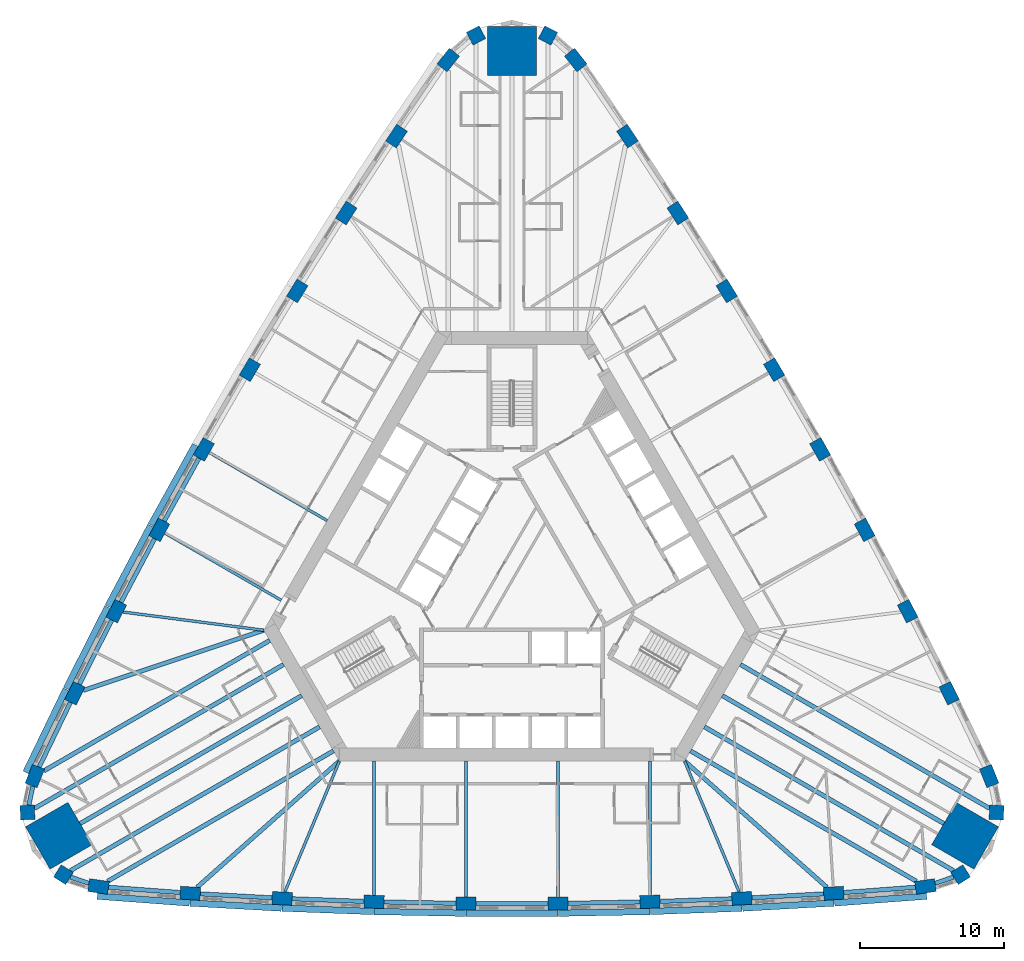
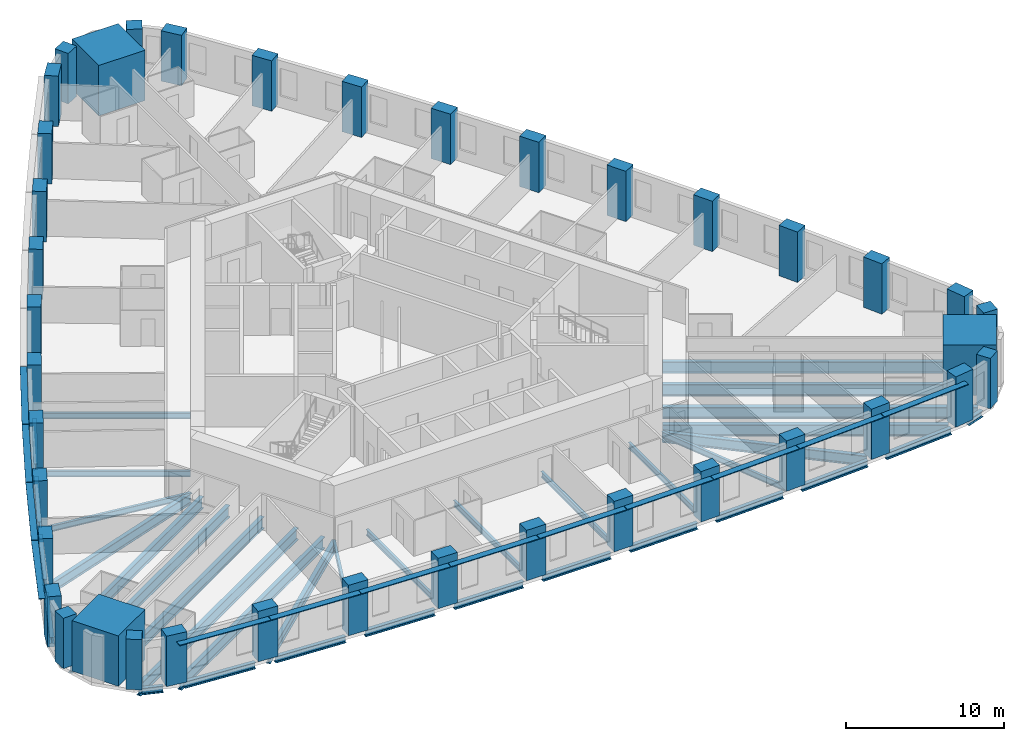
# One storey, part 1 of 12: 39 columns, 37 beams, 13 members.
"""IFC4 building model written with IfcOpenShell, lengths in metres."""

from ifc_helpers import new_model, si_unit, direction, frame, origin, origin_2d, place, context, subcontext, project, spatial, rectangle, i_section, extrude, material, material_profile, profile_set, type_object, element, save


model = new_model("IFC4")

# Units and contexts
model_context = context("Model", 3, precision=1e-05, world=origin(), true_north=direction((0.0, 1.0)))
body_context = subcontext(model_context, "Body", "Model", "MODEL_VIEW")
ifc_project = project(units=[si_unit("LENGTHUNIT", "METRE"), si_unit("AREAUNIT", "SQUARE_METRE"), si_unit("VOLUMEUNIT", "CUBIC_METRE"), si_unit("PLANEANGLEUNIT", "RADIAN"), si_unit("MASSUNIT", "GRAM", prefix="KILO")], contexts=[model_context])

# Site, building, storey
site_placement = place(None, origin())
site = spatial("IfcSite", under=ifc_project, at=site_placement, CompositionType="ELEMENT")
building_placement = place(site_placement, origin())
building = spatial("IfcBuilding", under=site, at=building_placement, Name="Mestral Congress Tower", CompositionType="ELEMENT")
storey_placement = place(building_placement, frame((0.0, 0.0, 66.60009765625)))
storey = spatial("IfcBuildingStorey", under=building, at=storey_placement, Name="L15", CompositionType="ELEMENT", Elevation=66.60009765625)

# Columns
ifc_material_1 = material(Name="Concrete C70/85", Category="concrete")
ifc_material_profile_1 = material_profile(ifc_material_1, rectangle(XDim=1.0, YDim=1.0, at=origin_2d()), Name="RC 1000x1000")
ifc_profile_set_1 = profile_set([ifc_material_profile_1], Name="Concrete C70/85")
column_type_1 = type_object("IfcColumnType", Name="Column RC 1000x1000 C70/85", PredefinedType="COLUMN", material=ifc_profile_set_1)
for number, where, z_axis, x_axis, name in (
    (1, (31.210205078125, -20.90966796875, 0.0), (0.0, 0.0, 1.0), (0.844485001826, 0.535579202071, 0.0), "COL-L15-C1-SE1"),
    (2, (33.71337890625, -16.573974609375, 0.0), (0.0, 0.0, 1.0), (0.041582693819, 0.999135065732, 0.0), "COL-L15-C1-SE3"),
    (3, (2.503173828125, 37.483642578125, 0.0), (0.0, 0.0, 1.0), (-0.886067695645, 0.463555863661, 0.0), "COL-L15-C1-N1"),
    (4, (-2.503173828125, 37.483642578125, 0.0), (0.0, 0.0, 1.0), (-0.886067695645, -0.463555863661, 0.0), "COL-L15-C1-N3"),
    (5, (-33.71337890625, -16.573974609375, 0.0), (0.0, 0.0, 1.0), (0.041582693819, -0.999135065732, 0.0), "COL-L15-C1-SW1"),
    (6, (-31.210205078125, -20.90966796875, 0.0), (0.0, 0.0, 1.0), (0.844485001826, -0.535579202071, 0.0), "COL-L15-C1-SW3"),
):
    element("IfcColumn", number, at=place(storey_placement, frame(where, z_axis=z_axis, x_axis=x_axis)), inside=storey, type_object=column_type_1, Name=name, PredefinedType="COLUMN", context=body_context, shape_type="SweptSolid", body=[
        extrude(rectangle(XDim=1.0, YDim=1.0, at=origin_2d()), origin(), (0.0, 0.0, 1.0), 3.89990234375),
    ])
ifc_material_profile_2 = material_profile(ifc_material_1, rectangle(XDim=1.39990234375, YDim=0.89990234375, at=origin_2d()), Name="RC 1400x900")
ifc_profile_set_2 = profile_set([ifc_material_profile_2], Name="Concrete C70/85")
column_type_2 = type_object("IfcColumnType", Name="Column RC 1400x900 C70/85", PredefinedType="COLUMN", material=ifc_profile_set_2)
for number, where, z_axis, x_axis, name in (
    (7, (-28.766845703125, -21.730712890625, 0.0), (0.0, 0.0, 1.0), (0.989423502484, -0.145055619443, 0.0), "COL-L15-C1-S00"),
    (8, (-22.384521484375, -22.20361328125, 0.0), (0.0, 0.0, 1.0), (0.997907501024, -0.064657709518, 0.0), "COL-L15-C1-S01"),
    (9, (-15.994384765625, -22.558349609375, 0.0), (0.0, 0.0, 1.0), (0.998932216029, -0.04619986774, 0.0), "COL-L15-C1-S02"),
    (10, (-9.598876953125, -22.794921875, 0.0), (0.0, 0.0, 1.0), (0.999615553977, -0.027726237529, 0.0), "COL-L15-C1-S03"),
    (11, (-3.199951171875, -22.9130859375, 0.0), (0.0, 0.0, 1.0), (0.999957281342, -0.009243132098, 0.0), "COL-L15-C1-S04"),
    (12, (3.199951171875, -22.9130859375, 0.0), (0.0, 0.0, 1.0), (0.999957281342, 0.009243132098, 0.0), "COL-L15-C1-S05"),
    (13, (9.598876953125, -22.794921875, 0.0), (0.0, 0.0, 1.0), (0.999615553977, 0.027726237529, 0.0), "COL-L15-C1-S06"),
    (14, (15.994384765625, -22.558349609375, 0.0), (0.0, 0.0, 1.0), (0.998932216029, 0.04619986774, 0.0), "COL-L15-C1-S07"),
    (15, (22.384521484375, -22.20361328125, 0.0), (0.0, 0.0, 1.0), (0.997907501024, 0.064657709518, 0.0), "COL-L15-C1-S08"),
    (16, (28.766845703125, -21.730712890625, 0.0), (0.0, 0.0, 1.0), (0.989423502484, 0.145055619443, 0.0), "COL-L15-C1-S09"),
    (17, (33.202880859375, -14.04736328125, 0.0), (0.0, 0.0, 1.0), (-0.369089899843, 0.929393697974, 0.0), "COL-L15-C1-E00"),
    (18, (30.421142578125, -8.28369140625, 0.0), (0.0, 0.0, 1.0), (-0.442958531519, 0.896542101273, 0.0), "COL-L15-C1-E01"),
    (19, (27.533203125, -2.572265625, 0.0), (0.0, 0.0, 1.0), (-0.4594558489, 0.88820060961, 0.0), "COL-L15-C1-E02"),
    (20, (24.540283203125, 3.084716796875, 0.0), (0.0, 0.0, 1.0), (-0.475796150937, 0.879555582526, 0.0), "COL-L15-C1-E03"),
    (21, (21.443359375, 8.685302734375, 0.0), (0.0, 0.0, 1.0), (-0.491973853463, 0.870609974391, 0.0), "COL-L15-C1-E04"),
    (22, (18.243408203125, 14.227783203125, 0.0), (0.0, 0.0, 1.0), (-0.507983427879, 0.861366842292, 0.0), "COL-L15-C1-E05"),
    (23, (14.941650390625, 19.710205078125, 0.0), (0.0, 0.0, 1.0), (-0.52381940304, 0.851829344998, 0.0), "COL-L15-C1-E06"),
    (24, (11.5390625, 25.130615234375, 0.0), (0.0, 0.0, 1.0), (-0.539476367129, 0.84200074187, 0.0), "COL-L15-C1-E07"),
    (25, (8.03662109375, 30.4873046875, 0.0), (0.0, 0.0, 1.0), (-0.554948969505, 0.831884391755, 0.0), "COL-L15-C1-E08"),
    (26, (4.43603515625, 35.7783203125, 0.0), (0.0, 0.0, 1.0), (-0.620333602641, 0.784338078531, 0.0), "COL-L15-C1-E09"),
    (27, (-4.43603515625, 35.7783203125, 0.0), (0.0, 0.0, 1.0), (-0.620333602641, -0.784338078531, 0.0), "COL-L15-C1-W00"),
    (28, (-8.03662109375, 30.4873046875, 0.0), (0.0, 0.0, 1.0), (-0.554948969505, -0.831884391755, 0.0), "COL-L15-C1-W01"),
    (29, (-11.5390625, 25.130615234375, 0.0), (0.0, 0.0, 1.0), (-0.539476367129, -0.84200074187, 0.0), "COL-L15-C1-W02"),
    (30, (-14.941650390625, 19.710205078125, 0.0), (0.0, 0.0, 1.0), (-0.52381940304, -0.851829344998, 0.0), "COL-L15-C1-W03"),
    (31, (-18.243408203125, 14.227783203125, 0.0), (0.0, 0.0, 1.0), (-0.507983427879, -0.861366842292, 0.0), "COL-L15-C1-W04"),
    (32, (-21.443359375, 8.685302734375, 0.0), (0.0, 0.0, 1.0), (-0.491973853463, -0.870609974391, 0.0), "COL-L15-C1-W05"),
    (33, (-24.540283203125, 3.084716796875, 0.0), (0.0, 0.0, 1.0), (-0.475796150937, -0.879555582526, 0.0), "COL-L15-C1-W06"),
    (34, (-27.533203125, -2.572265625, 0.0), (0.0, 0.0, 1.0), (-0.4594558489, -0.88820060961, 0.0), "COL-L15-C1-W07"),
    (35, (-30.421142578125, -8.28369140625, 0.0), (0.0, 0.0, 1.0), (-0.442958531519, -0.896542101273, 0.0), "COL-L15-C1-W08"),
    (36, (-33.202880859375, -14.04736328125, 0.0), (0.0, 0.0, 1.0), (-0.369089899843, -0.929393697974, 0.0), "COL-L15-C1-W09"),
):
    element("IfcColumn", number, at=place(storey_placement, frame(where, z_axis=z_axis, x_axis=x_axis)), inside=storey, type_object=column_type_2, Name=name, PredefinedType="COLUMN", context=body_context, shape_type="SweptSolid", body=[
        extrude(rectangle(XDim=1.39990234375, YDim=0.89990234375, at=origin_2d()), origin(), (0.0, 0.0, 1.0), 3.89990234375),
    ])
ifc_material_2 = material(Name="Concrete C80/95", Category="concrete")
ifc_material_profile_3 = material_profile(ifc_material_2, rectangle(XDim=3.39990234375, YDim=3.39990234375, at=origin_2d()), Name="RC 3400x3400")
ifc_profile_set_3 = profile_set([ifc_material_profile_3], Name="Concrete C80/95")
column_type_3 = type_object("IfcColumnType", Name="Mega column RC 3400x3400 C80/95", PredefinedType="COLUMN", material=ifc_profile_set_3)
for number, where, z_axis, x_axis, name in (
    (37, (31.5224609375, -18.199462890625, 0.0), (0.0, 0.0, 1.0), (0.866025403784, -0.5, 0.0), "COL-L15-PY1-SE"),
    (38, (0.0, 36.39892578125, 0.0), (0.0, 0.0, 1.0), (0.0, 1.0, 0.0), "COL-L15-PY1-N"),
    (39, (-31.5224609375, -18.199462890625, 0.0), (0.0, 0.0, 1.0), (-0.866025403784, -0.5, 0.0), "COL-L15-PY1-SW"),
):
    element("IfcColumn", number, at=place(storey_placement, frame(where, z_axis=z_axis, x_axis=x_axis)), inside=storey, type_object=column_type_3, Name=name, PredefinedType="COLUMN", context=body_context, shape_type="SweptSolid", body=[
        extrude(rectangle(XDim=3.39990234375, YDim=3.39990234375, at=origin_2d()), origin(), (0.0, 0.0, 1.0), 3.89990234375),
    ])

# Members
ifc_material_3 = material(Name="Glazed ceramic", Category="masonry")
ifc_material_profile_4 = material_profile(ifc_material_3, rectangle(XDim=0.449951171875, YDim=0.06005859375, at=origin_2d()), Name="Ceramic blade 450 x 60")
ifc_profile_set_4 = profile_set([ifc_material_profile_4], Name="Glazed ceramic")
member_type = type_object("IfcMemberType", Name="Facade sunshade blade 450 x 60", PredefinedType="USERDEFINED", material=ifc_profile_set_4)
member_1_placement = place(storey_placement, frame((-28.853271484375, -22.4013671875, 3.27978515625), z_axis=(0.997269829073, -0.073843672858, 0.0), x_axis=(0.073843672858, 0.997269829073, 0.0)))
element("IfcMember", 40, at=member_1_placement, inside=storey, type_object=member_type, Name="Sunshade F0-00", ObjectType="SUNSHADE", PredefinedType="USERDEFINED", context=body_context, shape_type="SweptSolid", body=[
    extrude(rectangle(XDim=0.449951171875, YDim=0.06005859375, at=origin_2d()), origin(), (0.0, 0.0, 1.0), 6.420654296875),
])
member_2_placement = place(storey_placement, frame((-22.406005859375, -22.87841796875, 3.27978515625), z_axis=(0.998462240013, -0.055436046654, 0.0), x_axis=(0.055436046654, 0.998462240013, 0.0)))
element("IfcMember", 41, at=member_2_placement, inside=storey, type_object=member_type, Name="Sunshade F0-01", ObjectType="SUNSHADE", PredefinedType="USERDEFINED", context=body_context, shape_type="SweptSolid", body=[
    extrude(rectangle(XDim=0.449951171875, YDim=0.06005859375, at=origin_2d()), origin(), (0.0, 0.0, 1.0), 6.3681640625),
])
member_3_placement = place(storey_placement, frame((-16.00341796875, -23.2333984375, 3.27978515625), z_axis=(0.99931546381, -0.036994645436, 0.0), x_axis=(0.036994645436, 0.99931546381, 0.0)))
element("IfcMember", 42, at=member_3_placement, inside=storey, type_object=member_type, Name="Sunshade F0-02", ObjectType="SUNSHADE", PredefinedType="USERDEFINED", context=body_context, shape_type="SweptSolid", body=[
    extrude(rectangle(XDim=0.449951171875, YDim=0.06005859375, at=origin_2d()), origin(), (0.0, 0.0, 1.0), 6.368408203125),
])
for number, where, z_axis, x_axis, name in (
    (43, (-9.595458984375, -23.47021484375, 3.27978515625), (0.99982925906, -0.018478439527, 0.0), (0.018478439527, 0.99982925906, 0.0), "Sunshade F0-03"),
    (44, (-3.18408203125, -23.588134765625, 3.27978515625), (1.0, 0.0, 0.0), (0.0, 1.0, 0.0), "Sunshade F0-04"),
    (45, (3.228271484375, -23.587890625, 3.27978515625), (0.99982925906, 0.018478439527, 0.0), (-0.018478439527, 0.99982925906, 0.0), "Sunshade F0-05"),
):
    element("IfcMember", number, at=place(storey_placement, frame(where, z_axis=z_axis, x_axis=x_axis)), inside=storey, type_object=member_type, Name=name, ObjectType="SUNSHADE", PredefinedType="USERDEFINED", context=body_context, shape_type="SweptSolid", body=[
        extrude(rectangle(XDim=0.449951171875, YDim=0.06005859375, at=origin_2d()), origin(), (0.0, 0.0, 1.0), 6.3681640625),
    ])
member_4_placement = place(storey_placement, frame((9.639404296875, -23.468994140625, 3.27978515625), z_axis=(0.99931546381, 0.036994645436, 0.0), x_axis=(-0.036994645436, 0.99931546381, 0.0)))
element("IfcMember", 46, at=member_4_placement, inside=storey, type_object=member_type, Name="Sunshade F0-06", ObjectType="SUNSHADE", PredefinedType="USERDEFINED", context=body_context, shape_type="SweptSolid", body=[
    extrude(rectangle(XDim=0.449951171875, YDim=0.06005859375, at=origin_2d()), origin(), (0.0, 0.0, 1.0), 6.368408203125),
])
member_5_placement = place(storey_placement, frame((16.047607421875, -23.2314453125, 3.27978515625), z_axis=(0.998462240013, 0.055436046654, 0.0), x_axis=(-0.055436046654, 0.998462240013, 0.0)))
element("IfcMember", 47, at=member_5_placement, inside=storey, type_object=member_type, Name="Sunshade F0-07", ObjectType="SUNSHADE", PredefinedType="USERDEFINED", context=body_context, shape_type="SweptSolid", body=[
    extrude(rectangle(XDim=0.449951171875, YDim=0.06005859375, at=origin_2d()), origin(), (0.0, 0.0, 1.0), 6.3681640625),
])
member_6_placement = place(storey_placement, frame((22.4501953125, -22.87548828125, 3.27978515625), z_axis=(0.997269829073, 0.073843672858, 0.0), x_axis=(-0.073843672858, 0.997269829073, 0.0)))
element("IfcMember", 48, at=member_6_placement, inside=storey, type_object=member_type, Name="Sunshade F0-08", ObjectType="SUNSHADE", PredefinedType="USERDEFINED", context=body_context, shape_type="SweptSolid", body=[
    extrude(rectangle(XDim=0.449951171875, YDim=0.06005859375, at=origin_2d()), origin(), (0.0, 0.0, 1.0), 6.420654296875),
])
for number, where, z_axis, x_axis, name in (
    (49, (-22.041748046875, 8.998291015625, 3.27978515625), (-0.483893994258, -0.875126620736, 0.0), (0.875126620736, -0.483893994258, 0.0), "Sunshade F2-05"),
    (50, (-25.144287109375, 3.38623046875, 3.27978515625), (-0.467674573128, -0.883900726128, 0.0), (0.883900726128, -0.467674573128, 0.0), "Sunshade F2-06"),
    (51, (-28.142822265625, -2.28173828125, 3.27978515625), (-0.451226804026, -0.892409307061, 0.0), (0.892409307061, -0.451226804026, 0.0), "Sunshade F2-07"),
):
    element("IfcMember", number, at=place(storey_placement, frame(where, z_axis=z_axis, x_axis=x_axis)), inside=storey, type_object=member_type, Name=name, ObjectType="SUNSHADE", PredefinedType="USERDEFINED", context=body_context, shape_type="SweptSolid", body=[
        extrude(rectangle(XDim=0.449951171875, YDim=0.06005859375, at=origin_2d()), origin(), (0.0, 0.0, 1.0), 6.3681640625),
    ])
member_7_placement = place(storey_placement, frame((-31.035888671875, -8.00439453125, 3.27978515625), z_axis=(-0.434637414368, -0.900605528537, 0.0), x_axis=(0.900605528537, -0.434637414368, 0.0)))
element("IfcMember", 52, at=member_7_placement, inside=storey, type_object=member_type, Name="Sunshade F2-08", ObjectType="SUNSHADE", PredefinedType="USERDEFINED", context=body_context, shape_type="SweptSolid", body=[
    extrude(rectangle(XDim=0.449951171875, YDim=0.06005859375, at=origin_2d()), origin(), (0.0, 0.0, 1.0), 6.4208984375),
])

# Beams
ifc_material_4 = material(Name="Steel S355", Category="steel")
ifc_material_profile_5 = material_profile(ifc_material_4, i_section(OverallWidth=0.300048828125, OverallDepth=0.800048828125, WebThickness=0.017578125, FlangeThickness=0.032958984375, FilletRadius=0.030029296875, at=origin_2d()), Name="HEB 800")
ifc_profile_set_5 = profile_set([ifc_material_profile_5], Name="Steel S355")
beam_type_1 = type_object("IfcBeamType", Name="Floor beam HEB 800 S355", PredefinedType="BEAM", material=ifc_profile_set_5)
for number, where, z_axis, x_axis, name in (
    (53, (-21.91064453125, -21.783447265625, -0.650146484375), (0.748091770025, 0.663595286015, 0.0), (-0.663595286015, 0.748091770025, 0.0), "BM-L15-RB1-S01"),
    (54, (21.91064453125, -21.783447265625, -0.650146484375), (-0.748091770025, 0.663595286015, 0.0), (-0.663595286015, -0.748091770025, 0.0), "BM-L15-RB1-S08"),
    (55, (-29.8203125, -8.08349609375, -0.650146484375), (0.948734931285, 0.316072824141, 0.0), (-0.316072824141, 0.948734931285, 0.0), "BM-L15-RB1-W08"),
):
    element("IfcBeam", number, at=place(storey_placement, frame(where, z_axis=z_axis, x_axis=x_axis)), inside=storey, type_object=beam_type_1, Name=name, PredefinedType="BEAM", context=body_context, shape_type="SweptSolid", body=[
        extrude(i_section(OverallWidth=0.300048828125, OverallDepth=0.800048828125, WebThickness=0.017578125, FlangeThickness=0.032958984375, FilletRadius=0.030029296875, at=origin_2d()), origin(), (0.0, 0.0, 1.0), 13.236083984375),
    ])
ifc_material_profile_6 = material_profile(ifc_material_4, i_section(OverallWidth=0.300048828125, OverallDepth=0.89990234375, WebThickness=0.0185546875, FlangeThickness=0.034912109375, FilletRadius=0.030029296875, at=origin_2d()), Name="HEB 900")
ifc_profile_set_6 = profile_set([ifc_material_profile_6], Name="Steel S355")
beam_type_2 = type_object("IfcBeamType", Name="Floor beam HEB 900 S355", PredefinedType="BEAM", material=ifc_profile_set_6)
for number, where, z_axis, x_axis, name in (
    (56, (-28.138671875, -21.3681640625, -0.7001953125), (0.866027243369, 0.499996813733, 0.0), (-0.499996813733, 0.866027243369, 0.0), "BM-L15-RB1-S00"),
    (57, (28.138671875, -21.3681640625, -0.7001953125), (-0.866027243369, 0.499996813733, 0.0), (-0.499996813733, -0.866027243369, 0.0), "BM-L15-RB1-S09"),
):
    element("IfcBeam", number, at=place(storey_placement, frame(where, z_axis=z_axis, x_axis=x_axis)), inside=storey, type_object=beam_type_2, Name=name, PredefinedType="BEAM", context=body_context, shape_type="SweptSolid", body=[
        extrude(i_section(OverallWidth=0.300048828125, OverallDepth=0.89990234375, WebThickness=0.0185546875, FlangeThickness=0.034912109375, FilletRadius=0.030029296875, at=origin_2d()), origin(), (0.0, 0.0, 1.0), 18.15283203125),
    ])
beam_1_placement = place(storey_placement, frame((30.721435546875, -20.62744140625, -0.7001953125), z_axis=(-0.866027382289, 0.499996573113, 0.0), x_axis=(-0.499996573113, -0.866027382289, 0.0)))
element("IfcBeam", 58, at=beam_1_placement, inside=storey, type_object=beam_type_2, Name="BM-L15-RB1-SE1", PredefinedType="BEAM", context=body_context, shape_type="SweptSolid", body=[
    extrude(i_section(OverallWidth=0.300048828125, OverallDepth=0.89990234375, WebThickness=0.0185546875, FlangeThickness=0.034912109375, FilletRadius=0.030029296875, at=origin_2d()), origin(), (0.0, 0.0, 1.0), 20.019287109375),
])
beam_2_placement = place(storey_placement, frame((30.050048828125, -17.349609375, -0.7001953125), z_axis=(-0.866020438056, 0.500008600796, 0.0), x_axis=(-0.500008600796, -0.866020438056, 0.0)))
element("IfcBeam", 59, at=beam_2_placement, inside=storey, type_object=beam_type_2, Name="BM-L15-RB1-SE", PredefinedType="BEAM", context=body_context, shape_type="SweptSolid", body=[
    extrude(i_section(OverallWidth=0.300048828125, OverallDepth=0.89990234375, WebThickness=0.0185546875, FlangeThickness=0.034912109375, FilletRadius=0.030029296875, at=origin_2d()), origin(), (0.0, 0.0, 1.0), 17.799072265625),
])
beam_3_placement = place(storey_placement, frame((33.224609375, -16.291748046875, -0.7001953125), z_axis=(-0.866027382289, 0.499996573113, 0.0), x_axis=(-0.499996573113, -0.866027382289, 0.0)))
element("IfcBeam", 60, at=beam_3_placement, inside=storey, type_object=beam_type_2, Name="BM-L15-RB1-SE3", PredefinedType="BEAM", context=body_context, shape_type="SweptSolid", body=[
    extrude(i_section(OverallWidth=0.300048828125, OverallDepth=0.89990234375, WebThickness=0.0185546875, FlangeThickness=0.034912109375, FilletRadius=0.030029296875, at=origin_2d()), origin(), (0.0, 0.0, 1.0), 20.019287109375),
])
beam_4_placement = place(storey_placement, frame((-32.574462890625, -13.6845703125, -0.7001953125), z_axis=(0.866029704776, 0.49999255039, 0.0), x_axis=(-0.49999255039, 0.866029704776, 0.0)))
element("IfcBeam", 61, at=beam_4_placement, inside=storey, type_object=beam_type_2, Name="BM-L15-RB1-W09", PredefinedType="BEAM", context=body_context, shape_type="SweptSolid", body=[
    extrude(i_section(OverallWidth=0.300048828125, OverallDepth=0.89990234375, WebThickness=0.0185546875, FlangeThickness=0.034912109375, FilletRadius=0.030029296875, at=origin_2d()), origin(), (0.0, 0.0, 1.0), 18.152587890625),
])
beam_5_placement = place(storey_placement, frame((-33.224609375, -16.291748046875, -0.7001953125), z_axis=(0.866027382289, 0.499996573113, 0.0), x_axis=(-0.499996573113, 0.866027382289, 0.0)))
element("IfcBeam", 62, at=beam_5_placement, inside=storey, type_object=beam_type_2, Name="BM-L15-RB1-SW1", PredefinedType="BEAM", context=body_context, shape_type="SweptSolid", body=[
    extrude(i_section(OverallWidth=0.300048828125, OverallDepth=0.89990234375, WebThickness=0.0185546875, FlangeThickness=0.034912109375, FilletRadius=0.030029296875, at=origin_2d()), origin(), (0.0, 0.0, 1.0), 20.019287109375),
])
beam_6_placement = place(storey_placement, frame((-30.050048828125, -17.349609375, -0.7001953125), z_axis=(0.866020438056, 0.500008600796, 0.0), x_axis=(-0.500008600796, 0.866020438056, 0.0)))
element("IfcBeam", 63, at=beam_6_placement, inside=storey, type_object=beam_type_2, Name="BM-L15-RB1-SW", PredefinedType="BEAM", context=body_context, shape_type="SweptSolid", body=[
    extrude(i_section(OverallWidth=0.300048828125, OverallDepth=0.89990234375, WebThickness=0.0185546875, FlangeThickness=0.034912109375, FilletRadius=0.030029296875, at=origin_2d()), origin(), (0.0, 0.0, 1.0), 17.799072265625),
])
beam_7_placement = place(storey_placement, frame((-30.721435546875, -20.62744140625, -0.7001953125), z_axis=(0.866027382289, 0.499996573113, 0.0), x_axis=(-0.499996573113, 0.866027382289, 0.0)))
element("IfcBeam", 64, at=beam_7_placement, inside=storey, type_object=beam_type_2, Name="BM-L15-RB1-SW3", PredefinedType="BEAM", context=body_context, shape_type="SweptSolid", body=[
    extrude(i_section(OverallWidth=0.300048828125, OverallDepth=0.89990234375, WebThickness=0.0185546875, FlangeThickness=0.034912109375, FilletRadius=0.030029296875, at=origin_2d()), origin(), (0.0, 0.0, 1.0), 20.019287109375),
])
ifc_material_profile_7 = material_profile(ifc_material_4, i_section(OverallWidth=0.18994140625, OverallDepth=0.449951171875, WebThickness=0.009521484375, FlangeThickness=0.0146484375, FilletRadius=0.02099609375, at=origin_2d()), Name="IPE 450")
ifc_profile_set_7 = profile_set([ifc_material_profile_7], Name="Steel S355")
beam_type_3 = type_object("IfcBeamType", Name="Floor beam IPE 450 S355", PredefinedType="BEAM", material=ifc_profile_set_7)
beam_8_placement = place(storey_placement, frame((-15.81005859375, -22.116455078125, -0.47509765625), z_axis=(0.384852309441, 0.922978168711, 0.0), x_axis=(-0.922978168711, 0.384852309441, 0.0)))
element("IfcBeam", 65, at=beam_8_placement, inside=storey, type_object=beam_type_3, Name="BM-L15-RB1-S02", PredefinedType="BEAM", context=body_context, shape_type="SweptSolid", body=[
    extrude(i_section(OverallWidth=0.18994140625, OverallDepth=0.449951171875, WebThickness=0.009521484375, FlangeThickness=0.0146484375, FilletRadius=0.02099609375, at=origin_2d()), origin(), (0.0, 0.0, 1.0), 9.877197265625),
])
beam_9_placement = place(storey_placement, frame((-9.598876953125, -22.3447265625, -0.47509765625), z_axis=(0.0, 1.0, 0.0), x_axis=(-1.0, 0.0, 0.0)))
element("IfcBeam", 66, at=beam_9_placement, inside=storey, type_object=beam_type_3, Name="BM-L15-RB1-S03", PredefinedType="BEAM", context=body_context, shape_type="SweptSolid", body=[
    extrude(i_section(OverallWidth=0.18994140625, OverallDepth=0.449951171875, WebThickness=0.009521484375, FlangeThickness=0.0146484375, FilletRadius=0.02099609375, at=origin_2d()), origin(), (0.0, 0.0, 1.0), 9.3447265625),
])
for number, where, z_axis, x_axis, name in (
    (67, (-3.199951171875, -22.463134765625, -0.47509765625), (0.0, 1.0, 0.0), (-1.0, 0.0, 0.0), "BM-L15-RB1-S04"),
    (68, (3.199951171875, -22.463134765625, -0.47509765625), (0.0, 1.0, 0.0), (-1.0, 0.0, 0.0), "BM-L15-RB1-S05"),
):
    element("IfcBeam", number, at=place(storey_placement, frame(where, z_axis=z_axis, x_axis=x_axis)), inside=storey, type_object=beam_type_3, Name=name, PredefinedType="BEAM", context=body_context, shape_type="SweptSolid", body=[
        extrude(i_section(OverallWidth=0.18994140625, OverallDepth=0.449951171875, WebThickness=0.009521484375, FlangeThickness=0.0146484375, FilletRadius=0.02099609375, at=origin_2d()), origin(), (0.0, 0.0, 1.0), 9.463134765625),
    ])
beam_10_placement = place(storey_placement, frame((9.598876953125, -22.3447265625, -0.47509765625), z_axis=(0.0, 1.0, 0.0), x_axis=(-1.0, 0.0, 0.0)))
element("IfcBeam", 69, at=beam_10_placement, inside=storey, type_object=beam_type_3, Name="BM-L15-RB1-S06", PredefinedType="BEAM", context=body_context, shape_type="SweptSolid", body=[
    extrude(i_section(OverallWidth=0.18994140625, OverallDepth=0.449951171875, WebThickness=0.009521484375, FlangeThickness=0.0146484375, FilletRadius=0.02099609375, at=origin_2d()), origin(), (0.0, 0.0, 1.0), 9.3447265625),
])
beam_11_placement = place(storey_placement, frame((15.81005859375, -22.116455078125, -0.47509765625), z_axis=(-0.384852309441, 0.922978168711, 0.0), x_axis=(-0.922978168711, -0.384852309441, 0.0)))
element("IfcBeam", 70, at=beam_11_placement, inside=storey, type_object=beam_type_3, Name="BM-L15-RB1-S07", PredefinedType="BEAM", context=body_context, shape_type="SweptSolid", body=[
    extrude(i_section(OverallWidth=0.18994140625, OverallDepth=0.449951171875, WebThickness=0.009521484375, FlangeThickness=0.0146484375, FilletRadius=0.02099609375, at=origin_2d()), origin(), (0.0, 0.0, 1.0), 9.877197265625),
])
beam_12_placement = place(storey_placement, frame((-21.0537109375, 8.46044921875, -0.47509765625), z_axis=(0.866019749231, -0.500009793847, 0.0), x_axis=(0.500009793847, 0.866019749231, 0.0)))
element("IfcBeam", 71, at=beam_12_placement, inside=storey, type_object=beam_type_3, Name="BM-L15-RB1-W05", PredefinedType="BEAM", context=body_context, shape_type="SweptSolid", body=[
    extrude(i_section(OverallWidth=0.18994140625, OverallDepth=0.449951171875, WebThickness=0.009521484375, FlangeThickness=0.0146484375, FilletRadius=0.02099609375, at=origin_2d()), origin(), (0.0, 0.0, 1.0), 9.463134765625),
])
beam_13_placement = place(storey_placement, frame((-24.150634765625, 2.859619140625, -0.47509765625), z_axis=(0.866032011123, -0.499988555579, 0.0), x_axis=(0.499988555579, 0.866032011123, 0.0)))
element("IfcBeam", 72, at=beam_13_placement, inside=storey, type_object=beam_type_3, Name="BM-L15-RB1-W06", PredefinedType="BEAM", context=body_context, shape_type="SweptSolid", body=[
    extrude(i_section(OverallWidth=0.18994140625, OverallDepth=0.449951171875, WebThickness=0.009521484375, FlangeThickness=0.0146484375, FilletRadius=0.02099609375, at=origin_2d()), origin(), (0.0, 0.0, 1.0), 9.344970703125),
])
beam_14_placement = place(storey_placement, frame((-27.058349609375, -2.6337890625, -0.47509765625), z_axis=(0.99175011495, -0.128186229747, 0.0), x_axis=(0.128186229747, 0.99175011495, 0.0)))
element("IfcBeam", 73, at=beam_14_placement, inside=storey, type_object=beam_type_3, Name="BM-L15-RB1-W07", PredefinedType="BEAM", context=body_context, shape_type="SweptSolid", body=[
    extrude(i_section(OverallWidth=0.18994140625, OverallDepth=0.449951171875, WebThickness=0.009521484375, FlangeThickness=0.0146484375, FilletRadius=0.02099609375, at=origin_2d()), origin(), (0.0, 0.0, 1.0), 9.877197265625),
])
ifc_material_profile_8 = material_profile(ifc_material_4, i_section(OverallWidth=0.300048828125, OverallDepth=0.489990234375, WebThickness=0.011962890625, FlangeThickness=0.02294921875, FilletRadius=0.027099609375, at=origin_2d()), Name="HEA 500")
ifc_profile_set_8 = profile_set([ifc_material_profile_8], Name="Steel S355")
beam_type_4 = type_object("IfcBeamType", Name="Spandrel beam HEA 500 S355", PredefinedType="BEAM", material=ifc_profile_set_8)
beam_15_placement = place(storey_placement, frame((-28.06689453125, -21.78271484375, -0.4951171875), z_axis=(0.997268820599, -0.073857291181, 0.0), x_axis=(0.073857291181, 0.997268820599, 0.0)))
element("IfcBeam", 74, at=beam_15_placement, inside=storey, type_object=beam_type_4, Name="SP-L15-SB1-S00", PredefinedType="BEAM", context=body_context, shape_type="SweptSolid", body=[
    extrude(i_section(OverallWidth=0.300048828125, OverallDepth=0.489990234375, WebThickness=0.011962890625, FlangeThickness=0.02294921875, FilletRadius=0.027099609375, at=origin_2d()), origin(), (0.0, 0.0, 1.0), 4.998046875),
])
for number, where, z_axis, x_axis, name in (
    (75, (-21.685546875, -22.242431640625, -0.4951171875), (0.998463056415, -0.055421340426, 0.0), (0.055421340426, 0.998463056415, 0.0), "SP-L15-SB1-S01"),
    (76, (-15.294677734375, -22.584228515625, -0.4951171875), (0.999316571833, -0.036964702901, 0.0), (0.036964702901, 0.999316571833, 0.0), "SP-L15-SB1-S02"),
    (77, (-8.89892578125, -22.807861328125, -0.4951171875), (0.999829645984, -0.018457492, 0.0), (0.018457492, 0.999829645984, 0.0), "SP-L15-SB1-S03"),
):
    element("IfcBeam", number, at=place(storey_placement, frame(where, z_axis=z_axis, x_axis=x_axis)), inside=storey, type_object=beam_type_4, Name=name, PredefinedType="BEAM", context=body_context, shape_type="SweptSolid", body=[
        extrude(i_section(OverallWidth=0.300048828125, OverallDepth=0.489990234375, WebThickness=0.011962890625, FlangeThickness=0.02294921875, FilletRadius=0.027099609375, at=origin_2d()), origin(), (0.0, 0.0, 1.0), 4.999755859375),
    ])
beam_16_placement = place(storey_placement, frame((-2.5, -22.9130859375, -0.4951171875), z_axis=(1.0, 0.0, 0.0), x_axis=(0.0, 1.0, 0.0)))
element("IfcBeam", 78, at=beam_16_placement, inside=storey, type_object=beam_type_4, Name="SP-L15-SB1-S04", PredefinedType="BEAM", context=body_context, shape_type="SweptSolid", body=[
    extrude(i_section(OverallWidth=0.300048828125, OverallDepth=0.489990234375, WebThickness=0.011962890625, FlangeThickness=0.02294921875, FilletRadius=0.027099609375, at=origin_2d()), origin(), (0.0, 0.0, 1.0), 5.0),
])
for number, where, z_axis, x_axis, name in (
    (79, (3.89990234375, -22.900146484375, -0.4951171875), (0.999829645984, 0.018457492, 0.0), (-0.018457492, 0.999829645984, 0.0), "SP-L15-SB1-S05"),
    (80, (10.29833984375, -22.76904296875, -0.4951171875), (0.999316571833, 0.036964702901, 0.0), (-0.036964702901, 0.999316571833, 0.0), "SP-L15-SB1-S06"),
    (81, (16.693359375, -22.51953125, -0.4951171875), (0.998463056415, 0.055421340426, 0.0), (-0.055421340426, 0.998463056415, 0.0), "SP-L15-SB1-S07"),
):
    element("IfcBeam", number, at=place(storey_placement, frame(where, z_axis=z_axis, x_axis=x_axis)), inside=storey, type_object=beam_type_4, Name=name, PredefinedType="BEAM", context=body_context, shape_type="SweptSolid", body=[
        extrude(i_section(OverallWidth=0.300048828125, OverallDepth=0.489990234375, WebThickness=0.011962890625, FlangeThickness=0.02294921875, FilletRadius=0.027099609375, at=origin_2d()), origin(), (0.0, 0.0, 1.0), 4.999755859375),
    ])
beam_17_placement = place(storey_placement, frame((23.08251953125, -22.15185546875, -0.4951171875), z_axis=(0.997268820599, 0.073857291181, 0.0), x_axis=(-0.073857291181, 0.997268820599, 0.0)))
element("IfcBeam", 82, at=beam_17_placement, inside=storey, type_object=beam_type_4, Name="SP-L15-SB1-S08", PredefinedType="BEAM", context=body_context, shape_type="SweptSolid", body=[
    extrude(i_section(OverallWidth=0.300048828125, OverallDepth=0.489990234375, WebThickness=0.011962890625, FlangeThickness=0.02294921875, FilletRadius=0.027099609375, at=origin_2d()), origin(), (0.0, 0.0, 1.0), 4.998046875),
])
beam_18_placement = place(storey_placement, frame((29.441162109375, -21.504150390625, -0.4951171875), z_axis=(0.947921796083, 0.318503168762, 0.0), x_axis=(-0.318503168762, 0.947921796083, 0.0)))
element("IfcBeam", 83, at=beam_18_placement, inside=storey, type_object=beam_type_4, Name="SP-L15-SB1-S09", PredefinedType="BEAM", context=body_context, shape_type="SweptSolid", body=[
    extrude(i_section(OverallWidth=0.300048828125, OverallDepth=0.489990234375, WebThickness=0.011962890625, FlangeThickness=0.02294921875, FilletRadius=0.027099609375, at=origin_2d()), origin(), (0.0, 0.0, 1.0), 1.351318359375),
])
beam_19_placement = place(storey_placement, frame((-21.7822265625, 8.07275390625, -0.4951171875), z_axis=(-0.483900688062, -0.875122919419, 0.0), x_axis=(0.875122919419, -0.483900688062, 0.0)))
element("IfcBeam", 84, at=beam_19_placement, inside=storey, type_object=beam_type_4, Name="SP-L15-SB1-W05", PredefinedType="BEAM", context=body_context, shape_type="SweptSolid", body=[
    extrude(i_section(OverallWidth=0.300048828125, OverallDepth=0.489990234375, WebThickness=0.011962890625, FlangeThickness=0.02294921875, FilletRadius=0.027099609375, at=origin_2d()), origin(), (0.0, 0.0, 1.0), 4.999755859375),
])
beam_20_placement = place(storey_placement, frame((-24.86767578125, 2.4658203125, -0.4951171875), z_axis=(-0.467681307417, -0.883897162962, 0.0), x_axis=(0.883897162962, -0.467681307417, 0.0)))
element("IfcBeam", 85, at=beam_20_placement, inside=storey, type_object=beam_type_4, Name="SP-L15-SB1-W06", PredefinedType="BEAM", context=body_context, shape_type="SweptSolid", body=[
    extrude(i_section(OverallWidth=0.300048828125, OverallDepth=0.489990234375, WebThickness=0.011962890625, FlangeThickness=0.02294921875, FilletRadius=0.027099609375, at=origin_2d()), origin(), (0.0, 0.0, 1.0), 5.0),
])
beam_21_placement = place(storey_placement, frame((-27.84912109375, -3.197021484375, -0.4951171875), z_axis=(-0.45123261425, -0.892406369227, 0.0), x_axis=(0.892406369227, -0.45123261425, 0.0)))
element("IfcBeam", 86, at=beam_21_placement, inside=storey, type_object=beam_type_4, Name="SP-L15-SB1-W07", PredefinedType="BEAM", context=body_context, shape_type="SweptSolid", body=[
    extrude(i_section(OverallWidth=0.300048828125, OverallDepth=0.489990234375, WebThickness=0.011962890625, FlangeThickness=0.02294921875, FilletRadius=0.027099609375, at=origin_2d()), origin(), (0.0, 0.0, 1.0), 4.999755859375),
])
beam_22_placement = place(storey_placement, frame((-30.725341796875, -8.9140625, -0.4951171875), z_axis=(-0.434645244295, -0.900601749727, 0.0), x_axis=(0.900601749727, -0.434645244295, 0.0)))
element("IfcBeam", 87, at=beam_22_placement, inside=storey, type_object=beam_type_4, Name="SP-L15-SB1-W08", PredefinedType="BEAM", context=body_context, shape_type="SweptSolid", body=[
    extrude(i_section(OverallWidth=0.300048828125, OverallDepth=0.489990234375, WebThickness=0.011962890625, FlangeThickness=0.02294921875, FilletRadius=0.027099609375, at=origin_2d()), origin(), (0.0, 0.0, 1.0), 4.998046875),
])
beam_23_placement = place(storey_placement, frame((-33.34375, -14.74462890625, -0.4951171875), z_axis=(-0.197991750859, -0.980203686277, 0.0), x_axis=(0.980203686277, -0.197991750859, 0.0)))
element("IfcBeam", 88, at=beam_23_placement, inside=storey, type_object=beam_type_4, Name="SP-L15-SB1-W09", PredefinedType="BEAM", context=body_context, shape_type="SweptSolid", body=[
    extrude(i_section(OverallWidth=0.300048828125, OverallDepth=0.489990234375, WebThickness=0.011962890625, FlangeThickness=0.02294921875, FilletRadius=0.027099609375, at=origin_2d()), origin(), (0.0, 0.0, 1.0), 1.3515625),
])
beam_24_placement = place(storey_placement, frame((-30.72216796875, -21.07373046875, -0.4951171875), z_axis=(0.947921796083, -0.318503168762, 0.0), x_axis=(0.318503168762, 0.947921796083, 0.0)))
element("IfcBeam", 89, at=beam_24_placement, inside=storey, type_object=beam_type_4, Name="SP-L15-SB1-SW3", PredefinedType="BEAM", context=body_context, shape_type="SweptSolid", body=[
    extrude(i_section(OverallWidth=0.300048828125, OverallDepth=0.489990234375, WebThickness=0.011962890625, FlangeThickness=0.02294921875, FilletRadius=0.027099609375, at=origin_2d()), origin(), (0.0, 0.0, 1.0), 1.351318359375),
])

save(model, "model.ifc")
